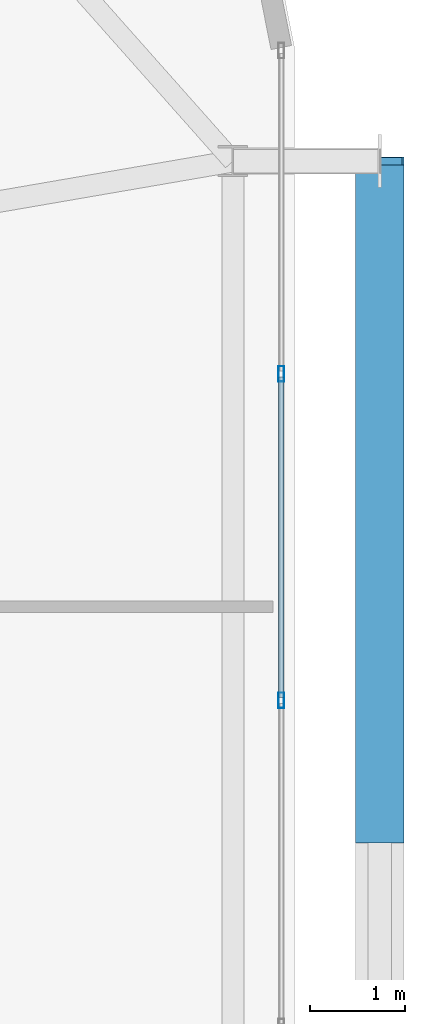
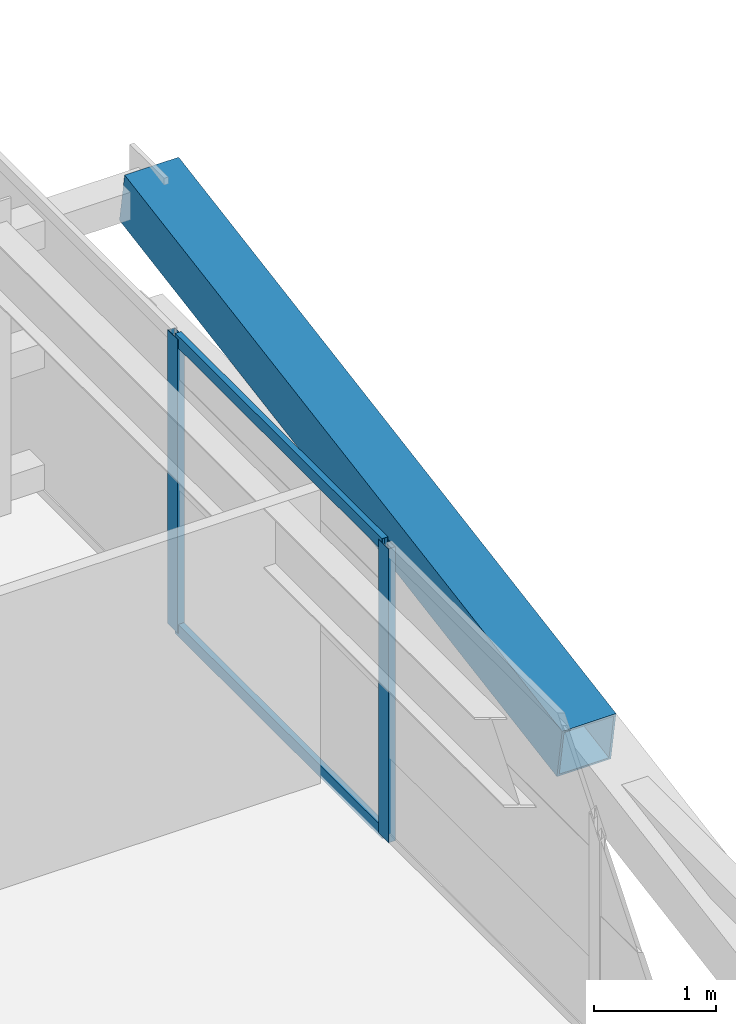
# One storey, part 32 of 59: 5 members, 1 element without a shape of its own.
"""IFC4 building model written with IfcOpenShell, lengths in metres."""

import ifcopenshell
import ifcopenshell.guid

model = None  # the IFC model being written
_history = None  # IfcOwnerHistory: only IFC2X3 demands one
_inside = {}  # id of a spatial element -> (the spatial element, [elements in it])
_under = {}  # id of a project, library or spatial element -> (it, [spatial elements below it])
_declared = {}  # id of a project -> (the project, [libraries it declares])
_typed = {}  # id of a type object -> (the type object, [elements of that type])
_made_of = {}  # id of a material, layer set ... -> (it, [elements and type objects made of it])


def new_model(schema):
    """Start an empty IFC model of exactly this schema.

    Asked for "IFC4X3", IfcOpenShell would pick the latest addendum, in which some entities
    have other attributes; the version numbers below select the first issue.
    IFC2X3 requires an IfcOwnerHistory on every rooted entity: one is made here for all.
    """
    global model, _history
    if schema == "IFC4X3":
        model = ifcopenshell.file(schema_version=(4, 3, 0, 0))
    else:
        model = ifcopenshell.file(schema=schema)
    _inside.clear()
    _under.clear()
    _declared.clear()
    _typed.clear()
    _made_of.clear()
    _history = None
    if model.schema == "IFC2X3":
        org = make("IfcOrganization", Name="unknown")
        user = make(
            "IfcPersonAndOrganization",
            ThePerson=make("IfcPerson", FamilyName="unknown"),
            TheOrganization=org,
        )
        app = make(
            "IfcApplication",
            ApplicationDeveloper=org,
            Version="unknown",
            ApplicationFullName="unknown",
            ApplicationIdentifier="unknown",
        )
        _history = make(
            "IfcOwnerHistory",
            OwningUser=user,
            OwningApplication=app,
            ChangeAction="ADDED",
            CreationDate=0,
        )
    return model


def make(cls, **values):
    """One entity of the class cls with the attributes given. An attribute that is None is left unset."""
    return model.create_entity(
        cls, **{name: value for name, value in values.items() if value is not None}
    )


def rooted(cls, **values):
    """An entity with a GlobalId (a new one), such as an element, a storey or a relation."""
    return make(cls, GlobalId=ifcopenshell.guid.new(), OwnerHistory=_history, **values)


def si_unit(unit_type, name, prefix=None):
    """IfcSIUnit, for example si_unit("LENGTHUNIT", "METRE", prefix="MILLI")."""
    return make("IfcSIUnit", UnitType=unit_type, Prefix=prefix, Name=name)


def assignment(units):
    """IfcUnitAssignment: the units of a project."""
    return None if units is None else make("IfcUnitAssignment", Units=units)


def point(xyz):
    """IfcCartesianPoint."""
    return None if xyz is None else make("IfcCartesianPoint", Coordinates=xyz)


def direction(xyz):
    """IfcDirection."""
    return None if xyz is None else make("IfcDirection", DirectionRatios=xyz)


def frame(location, z_axis=None, x_axis=None):
    """IfcAxis2Placement3D, a coordinate frame: its origin and axes. An axis left out is left unset."""
    return make(
        "IfcAxis2Placement3D",
        Location=point(location),
        Axis=direction(z_axis),
        RefDirection=direction(x_axis),
    )


def frame_2d(location, x_axis=None):
    """IfcAxis2Placement2D, a coordinate frame in the plane: its origin and x axis."""
    return make(
        "IfcAxis2Placement2D", Location=point(location), RefDirection=direction(x_axis)
    )


def origin():
    """The frame at (0, 0, 0) with its axes left unset."""
    return frame((0.0, 0.0, 0.0))


def origin_2d():
    """The frame at (0, 0) in the plane with its x axis left unset."""
    return frame_2d((0.0, 0.0))


def place(relative_to, where):
    """IfcLocalPlacement: puts the frame where relative to a parent placement (None: the world)."""
    return make(
        "IfcLocalPlacement", PlacementRelTo=relative_to, RelativePlacement=where
    )


def context(
    kind, dimensions, precision=None, world=None, true_north=None, identifier=None
):
    """IfcGeometricRepresentationContext, for example the 3D "Model" context."""
    return make(
        "IfcGeometricRepresentationContext",
        ContextIdentifier=identifier,
        ContextType=kind,
        CoordinateSpaceDimension=dimensions,
        Precision=precision,
        WorldCoordinateSystem=world,
        TrueNorth=true_north,
    )


def subcontext(parent, identifier, kind, view, scale=None):
    """IfcGeometricRepresentationSubContext, for example "Body" below "Model"."""
    return make(
        "IfcGeometricRepresentationSubContext",
        ContextIdentifier=identifier,
        ContextType=kind,
        ParentContext=parent,
        TargetScale=scale,
        TargetView=view,
    )


def project(units=None, contexts=None):
    """IfcProject with its units and contexts."""
    return rooted(
        "IfcProject",
        Name="project",
        RepresentationContexts=contexts,
        UnitsInContext=assignment(units),
    )


def spatial(cls, under=None, at=None, **own):
    """A site, building, storey or space (cls), placed at a placement, below another one or the project."""
    s = rooted(cls, ObjectPlacement=at, **own)
    if under is not None:
        _under.setdefault(under.id(), (under, []))[1].append(s)
    return s


def profile(cls, at=None, kind="AREA", **sizes):
    """A parametric profile (cls). Its sizes go by their IFC names, for example OverallWidth=200.0."""
    return make(cls, ProfileType=kind, Position=at, **sizes)


def hollow_rectangle(**sizes):
    """IfcRectangleHollowProfileDef."""
    return profile("IfcRectangleHollowProfileDef", **sizes)


def extrude(swept, where, along, depth):
    """IfcExtrudedAreaSolid: the profile swept, set in the frame where, extruded along a direction by depth."""
    return make(
        "IfcExtrudedAreaSolid",
        SweptArea=swept,
        Position=where,
        ExtrudedDirection=direction(along),
        Depth=depth,
    )


def shape(context_of_items, identifier, shape_type, items):
    """IfcShapeRepresentation: the items that make up one representation, for example the "Body"."""
    return make(
        "IfcShapeRepresentation",
        ContextOfItems=context_of_items,
        RepresentationIdentifier=identifier,
        RepresentationType=shape_type,
        Items=items,
    )


def source(mapping_origin, context_of_items, identifier, shape_type, items):
    """IfcRepresentationMap: a shape defined once, which mapped items show again and again."""
    return make(
        "IfcRepresentationMap",
        MappingOrigin=mapping_origin,
        MappedRepresentation=shape(context_of_items, identifier, shape_type, items),
    )


def transform(
    local_origin,
    x_axis=None,
    y_axis=None,
    z_axis=None,
    scale=None,
    scale2=None,
    scale3=None,
    uniform=True,
):
    """IfcCartesianTransformationOperator3D, or its non-uniform kind. x_axis, y_axis, z_axis: its Axis1, 2, 3."""
    if uniform:
        return make(
            "IfcCartesianTransformationOperator3D",
            Axis1=direction(x_axis),
            Axis2=direction(y_axis),
            LocalOrigin=point(local_origin),
            Scale=scale,
            Axis3=direction(z_axis),
        )
    return make(
        "IfcCartesianTransformationOperator3DnonUniform",
        Axis1=direction(x_axis),
        Axis2=direction(y_axis),
        LocalOrigin=point(local_origin),
        Scale=scale,
        Axis3=direction(z_axis),
        Scale2=scale2,
        Scale3=scale3,
    )


def mapped(mapping_source, mapping_target):
    """IfcMappedItem: shows the shape of a source again, moved by a transform."""
    return make(
        "IfcMappedItem", MappingSource=mapping_source, MappingTarget=mapping_target
    )


def material(Name=None, Category=None):
    """IfcMaterial."""
    return make("IfcMaterial", Name=Name, Category=Category)


def layer(
    of_material, thickness, ventilated=None, Name=None, Category=None, Priority=None
):
    """IfcMaterialLayer: one layer of a wall or slab, of a material (None: an air gap)."""
    return make(
        "IfcMaterialLayer",
        Material=of_material,
        LayerThickness=thickness,
        IsVentilated=ventilated,
        Name=Name,
        Category=Category,
        Priority=Priority,
    )


def layer_set(layers, Name=None):
    """IfcMaterialLayerSet."""
    return make("IfcMaterialLayerSet", MaterialLayers=layers, LayerSetName=Name)


def material_profile(
    of_material, cross_section, Name=None, Category=None, Priority=None
):
    """IfcMaterialProfile: a cross section and its material."""
    return make(
        "IfcMaterialProfile",
        Name=Name,
        Material=of_material,
        Profile=cross_section,
        Priority=Priority,
        Category=Category,
    )


def profile_set(profiles, Name=None, composite=None):
    """IfcMaterialProfileSet."""
    return make(
        "IfcMaterialProfileSet",
        Name=Name,
        MaterialProfiles=profiles,
        CompositeProfile=composite,
    )


def made_of(thing, what):
    """Note that an element or type object is made of a material, layer set ...; save() writes the relation."""
    if what is not None:
        _made_of.setdefault(what.id(), (what, []))[1].append(thing)
    return thing


def type_object(cls, material=None, **own):
    """A type object (cls), such as IfcWallType, which elements share."""
    return made_of(rooted(cls, **own), material)


def element(
    cls,
    number,
    at=None,
    inside=None,
    cuts=None,
    type_object=None,
    material=None,
    context=None,
    identifier="Body",
    shape_type=None,
    held_by="IfcProductDefinitionShape",
    body=None,
    shapes=None,
    **own,
):
    """One element of the class cls, such as IfcWall. Its Tag is "e" and its number.

    at: its placement. inside: the storey or other place that contains it. cuts: it is an
    opening in that element (IfcRelVoidsElement). A single representation is given by context,
    identifier, shape_type and body (its items); several are given by shapes. held_by: the class
    of the entity that holds the representations. save() writes the other relations.
    """
    e = rooted(cls, Tag="e%d" % number, ObjectPlacement=at, **own)
    if body is not None:
        shapes = [shape(context, identifier, shape_type, body)]
    if shapes is not None:
        e.Representation = make(held_by, Representations=shapes)
    if inside is not None:
        _inside.setdefault(inside.id(), (inside, []))[1].append(e)
    if cuts is not None:
        rooted(
            "IfcRelVoidsElement", RelatingBuildingElement=cuts, RelatedOpeningElement=e
        )
    if type_object is not None:
        _typed.setdefault(type_object.id(), (type_object, []))[1].append(e)
    return made_of(e, material)


def aggregate(whole, parts):
    """IfcRelAggregates: a whole, such as a stair, and the parts it consists of."""
    return rooted("IfcRelAggregates", RelatingObject=whole, RelatedObjects=parts)


def save(model, path):
    """Write the relations noted so far, then the file.

    IfcRelAggregates (storeys below a building ...), IfcRelContainedInSpatialStructure (elements
    in a storey), IfcRelDefinesByType, IfcRelAssociatesMaterial and IfcRelDeclares: one each for
    every whole, place, type object, material and project.
    """
    for whole, parts in _under.values():
        aggregate(whole, parts)
    for where, things in _inside.values():
        rooted(
            "IfcRelContainedInSpatialStructure",
            RelatedElements=things,
            RelatingStructure=where,
        )
    for kind, things in _typed.values():
        rooted("IfcRelDefinesByType", RelatedObjects=things, RelatingType=kind)
    for what, things in _made_of.values():
        rooted("IfcRelAssociatesMaterial", RelatedObjects=things, RelatingMaterial=what)
    for by, libraries in _declared.values():
        rooted("IfcRelDeclares", RelatingContext=by, RelatedDefinitions=libraries)
    model.write(path)


model = new_model("IFC4")

# Units and contexts
model_context = context("Model", 3, precision=1e-05, world=origin(), true_north=direction((0.0, 1.0)))
body_context = subcontext(model_context, "Body", "Model", "MODEL_VIEW")
ifc_project = project(units=[si_unit("LENGTHUNIT", "METRE"), si_unit("AREAUNIT", "SQUARE_METRE"), si_unit("VOLUMEUNIT", "CUBIC_METRE"), si_unit("PLANEANGLEUNIT", "RADIAN"), si_unit("MASSUNIT", "GRAM", prefix="KILO")], contexts=[model_context])

# Site, building, storey
site_placement = place(None, origin())
site = spatial("IfcSite", under=ifc_project, at=site_placement, CompositionType="ELEMENT")
building_placement = place(site_placement, origin())
building = spatial("IfcBuilding", under=site, at=building_placement, Name="Taldren Reach Tower", CompositionType="ELEMENT")
storey_placement = place(building_placement, frame((0.0, 0.0, 45.14990234375)))
storey = spatial("IfcBuildingStorey", under=building, at=storey_placement, Name="L13", CompositionType="ELEMENT", Elevation=45.14990234375)

# Member
ifc_material_1 = material(Name="Steel Gr 450 (C450L0)", Category="steel")
ifc_material_profile_1 = material_profile(ifc_material_1, hollow_rectangle(XDim=0.510009765625, YDim=0.510009765625, WallThickness=0.02001953125, at=origin_2d()), Name="510x510x20.0SHS")
ifc_profile_set_1 = profile_set([ifc_material_profile_1], Name="Steel Gr 450 (C450L0)")
member_type_1 = type_object("IfcMemberType", Name="MB-EXO508", PredefinedType="BRACE", material=ifc_profile_set_1)
shared_shape_1 = source(origin(), body_context, "Body", "SweptSolid", [
    extrude(hollow_rectangle(XDim=0.510009765625, YDim=0.510009765625, WallThickness=0.02001953125, at=origin_2d()), origin(), (0.0, 0.0, 1.0), 7.252685546875),
])
member_1_placement = place(storey_placement, frame((65.89990234375, 27.14990234375, 1.43505859375), z_axis=(0.0, 0.985865800628, 0.167536930711), x_axis=(-1.0, 0.0, 0.0)))
element("IfcMember", 1, at=member_1_placement, inside=storey, type_object=member_type_1, Name="Exoskeleton Diagrid Brace B1-E2 L13", PredefinedType="BRACE", context=body_context, shape_type="MappedRepresentation", body=[
    mapped(shared_shape_1, transform((0.0, 0.0, 0.0), scale=1.0)),
])

# Curtain wall, members
ifc_material_2 = material(Name="Aluminium and Low-E Glass Unitised System", Category="aluminium")
ifc_layer = layer(ifc_material_2, 0.159912109375)
ifc_layer_set = layer_set([ifc_layer], Name="Aluminium and Low-E Glass Unitised System")
curtain_wall_type = type_object("IfcCurtainWallType", Name="CW-SYS-2", PredefinedType="NOTDEFINED", material=ifc_layer_set)
curtain_wall_placement = place(storey_placement, origin())
curtain_wall = element("IfcCurtainWall", 2, at=curtain_wall_placement, inside=storey, type_object=curtain_wall_type, Name="Unitised curtain wall CW-L13-E", PredefinedType="NOTDEFINED")
ifc_material_3 = material(Name="Anodised Aluminium 6063-T6", Category="aluminium")
ifc_material_profile_2 = material_profile(ifc_material_3, hollow_rectangle(XDim=0.054931640625, YDim=0.1201171875, WallThickness=0.0029296875, at=origin_2d()), Name="ALU-120x55x3RHS")
ifc_profile_set_2 = profile_set([ifc_material_profile_2], Name="Anodised Aluminium 6063-T6")
member_type_2 = type_object("IfcMemberType", Name="CW-TRN-135", PredefinedType="USERDEFINED", material=ifc_profile_set_2)
shared_shape_2 = source(origin(), body_context, "Body", "SweptSolid", [
    extrude(hollow_rectangle(XDim=0.054931640625, YDim=0.1201171875, WallThickness=0.0029296875, at=origin_2d()), origin(), (0.0, 0.0, 1.0), 3.37939453125),
])
member_2_placement = place(storey_placement, frame((64.860107421875, 28.6435546875, 0.027587890625), z_axis=(0.0, 1.0, 0.0), x_axis=(-1.0, 0.0, 0.0)))
member_2 = element("IfcMember", 3, at=member_2_placement, type_object=member_type_2, Name="CW-2 transom 8.1", ObjectType="TRANSOM", PredefinedType="USERDEFINED", context=body_context, shape_type="MappedRepresentation", body=[
    mapped(shared_shape_2, transform((0.0, 0.0, 0.0), scale=1.0)),
])
member_3_placement = place(storey_placement, frame((64.860107421875, 28.6435546875, 2.902587890625), z_axis=(0.0, 1.0, 0.0), x_axis=(-1.0, 0.0, 0.0)))
member_3 = element("IfcMember", 4, at=member_3_placement, type_object=member_type_2, Name="CW-2 transom 8.2", ObjectType="TRANSOM", PredefinedType="USERDEFINED", context=body_context, shape_type="MappedRepresentation", body=[
    mapped(shared_shape_2, transform((0.0, 0.0, 0.0), scale=1.0)),
])
ifc_material_profile_3 = material_profile(ifc_material_3, hollow_rectangle(XDim=0.06494140625, YDim=0.1650390625, WallThickness=0.00390625, at=origin_2d()), Name="ALU-165x65x4RHS")
ifc_profile_set_3 = profile_set([ifc_material_profile_3], Name="Anodised Aluminium 6063-T6")
member_type_3 = type_object("IfcMemberType", Name="CW-MUL-165", PredefinedType="MULLION", material=ifc_profile_set_3)
shared_shape_3 = source(origin(), body_context, "Body", "SweptSolid", [
    extrude(hollow_rectangle(XDim=0.06494140625, YDim=0.1650390625, WallThickness=0.00390625, at=origin_2d()), origin(), (0.0, 0.0, 1.0), 2.93017578125),
])
member_4_placement = place(storey_placement, frame((64.860107421875, 28.611083984375, 0.0), z_axis=(0.0, 0.0, 1.0), x_axis=(-1.0, 0.0, 0.0)))
member_4 = element("IfcMember", 5, at=member_4_placement, type_object=member_type_3, Name="CW-2 mullion 8", PredefinedType="MULLION", context=body_context, shape_type="MappedRepresentation", body=[
    mapped(shared_shape_3, transform((0.0, 0.0, 0.0), scale=1.0)),
])
member_5_placement = place(storey_placement, frame((64.860107421875, 32.0556640625, 0.0), z_axis=(0.0, 0.0, 1.0), x_axis=(-1.0, 0.0, 0.0)))
member_5 = element("IfcMember", 6, at=member_5_placement, type_object=member_type_3, Name="CW-2 mullion 9", PredefinedType="MULLION", context=body_context, shape_type="MappedRepresentation", body=[
    mapped(shared_shape_3, transform((0.0, 0.0, 0.0), scale=1.0)),
])
aggregate(curtain_wall, [member_4, member_5, member_2, member_3])

save(model, "model.ifc")
